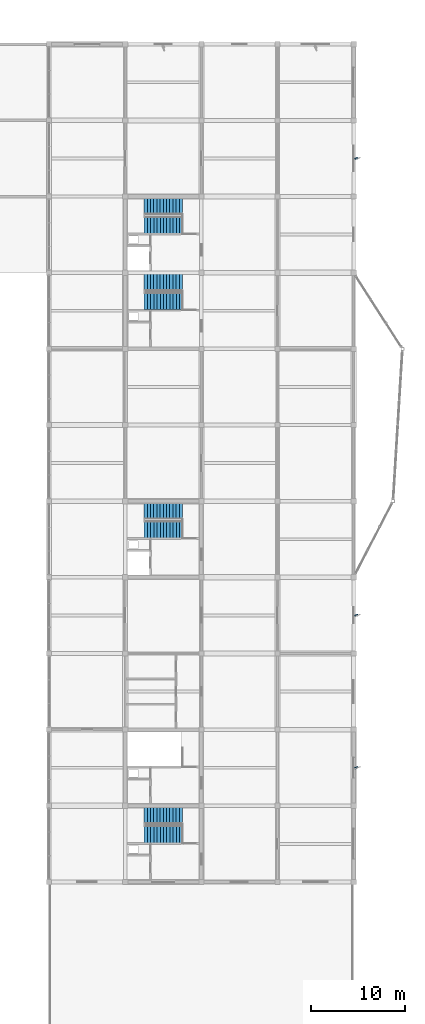
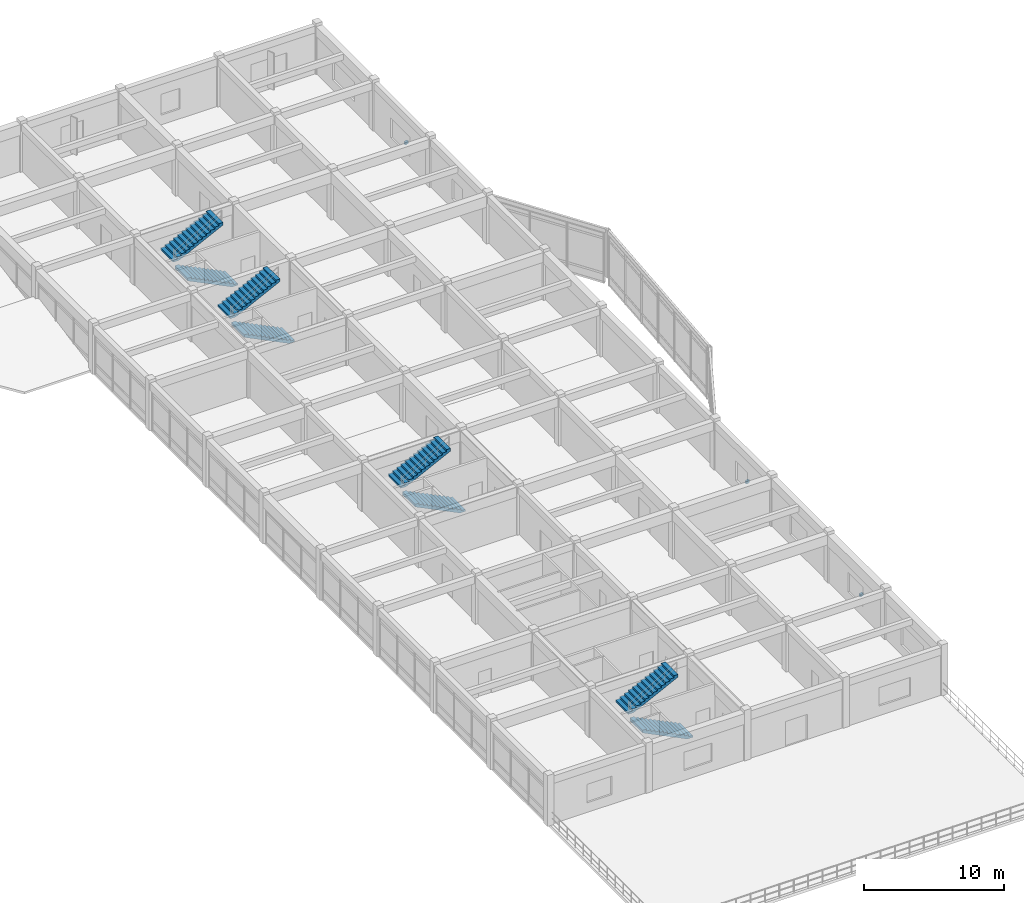
# One storey, part 30 of 33: 8 stair flights, 3 discrete accessories, 4 elements without a shape of their own.
"""IFC4 building model written with IfcOpenShell, lengths in metres."""

from ifc_helpers import new_model, si_unit, direction, frame, origin, origin_2d, place, context, subcontext, project, spatial, polyline, rectangle, outline, extrude, material, type_object, element, aggregate, save


model = new_model("IFC4")

# Units and contexts
model_context = context("Model", 3, precision=1e-05, world=origin(), true_north=direction((0.0, 1.0)))
body_context = subcontext(model_context, "Body", "Model", "MODEL_VIEW")
ifc_project = project(units=[si_unit("LENGTHUNIT", "METRE"), si_unit("AREAUNIT", "SQUARE_METRE"), si_unit("VOLUMEUNIT", "CUBIC_METRE"), si_unit("PLANEANGLEUNIT", "RADIAN"), si_unit("MASSUNIT", "GRAM", prefix="KILO")], contexts=[model_context])

# Site, building, storey
site_placement = place(None, origin())
site = spatial("IfcSite", under=ifc_project, at=site_placement, CompositionType="ELEMENT")
building_placement = place(site_placement, origin())
building = spatial("IfcBuilding", under=site, at=building_placement, Name="Vaudrelin Polytechnic", CompositionType="ELEMENT")
storey_placement = place(building_placement, frame((0.0, 0.0, 27.3701171875)))
storey = spatial("IfcBuildingStorey", under=building, at=storey_placement, Name="L06", CompositionType="ELEMENT", Elevation=27.3701171875)

# Stair, stair flights
ifc_material_1 = material(Name="Concrete 35 MPa", Category="concrete")
stair_type = type_object("IfcStairType", Name="STR-ST-CORE", PredefinedType="TWO_STRAIGHT_RUN_STAIR", material=ifc_material_1)
stair_1_placement = place(storey_placement, origin())
stair_1 = element("IfcStair", 1, at=stair_1_placement, inside=storey, type_object=stair_type, Name="Exit stair ST-06-L06", PredefinedType="TWO_STRAIGHT_RUN_STAIR")
stair_flight_type = type_object("IfcStairFlightType", Name="STF-STF-CORE", PredefinedType="STRAIGHT", material=ifc_material_1)
stair_flight_1_placement = place(storey_placement, frame((151.93994140625, 102.27001953125, 0.0), z_axis=(0.0, 0.0, 1.0), x_axis=(-1.0, 0.0, 0.0)))
stair_flight_1 = element("IfcStairFlight", 2, at=stair_flight_1_placement, type_object=stair_flight_type, Name="ST-06-L06 flight 1", NumberOfRisers=13, NumberOfTreads=12, PredefinedType="STRAIGHT", RiserHeight=0.17, TreadLength=0.34417, context=body_context, shape_type="SweptSolid", body=[
    extrude(outline(polyline([(0.0, 0.0), (0.0, 0.169921875), (0.34423828125, 0.169921875), (0.34423828125, 0.340087890625), (0.688232421875, 0.340087890625), (0.688232421875, 0.510009765625), (1.032470703125, 0.510009765625), (1.032470703125, 0.679931640625), (1.376708984375, 0.679931640625), (1.376708984375, 0.85009765625), (1.720947265625, 0.85009765625), (1.720947265625, 1.02001953125), (2.06494140625, 1.02001953125), (2.06494140625, 1.18994140625), (2.4091796875, 1.18994140625), (2.4091796875, 1.360107421875), (2.75341796875, 1.360107421875), (2.75341796875, 1.530029296875), (3.097412109375, 1.530029296875), (3.097412109375, 1.699951171875), (3.441650390625, 1.699951171875), (3.441650390625, 1.8701171875), (3.785888671875, 1.8701171875), (3.785888671875, 2.0400390625), (4.130126953125, 2.0400390625), (4.130126953125, 2.2099609375), (4.130126953125, 1.81689453125), (0.451416015625, 0.0), (0.0, 0.0)])), frame((0.0, 0.91015625, 0.0), z_axis=(0.0, -1.0, 0.0), x_axis=(1.0, 0.0, 0.0)), (0.0, 0.0, 1.0), 1.820068359375),
])
stair_flight_2_placement = place(storey_placement, frame((147.81005859375, 104.2900390625, 2.2099609375), z_axis=(0.0, 0.0, 1.0), x_axis=(1.0, 0.0, 0.0)))
stair_flight_2 = element("IfcStairFlight", 3, at=stair_flight_2_placement, type_object=stair_flight_type, Name="ST-06-L06 flight 2", NumberOfRisers=13, NumberOfTreads=12, PredefinedType="STRAIGHT", RiserHeight=0.17, TreadLength=0.34083, context=body_context, shape_type="SweptSolid", body=[
    extrude(outline(polyline([(0.0, 0.0), (0.0, 0.169921875), (0.3408203125, 0.169921875), (0.3408203125, 0.340087890625), (0.681640625, 0.340087890625), (0.681640625, 0.510009765625), (1.0224609375, 0.510009765625), (1.0224609375, 0.679931640625), (1.36328125, 0.679931640625), (1.36328125, 0.85009765625), (1.7041015625, 0.85009765625), (1.7041015625, 1.02001953125), (2.044921875, 1.02001953125), (2.044921875, 1.18994140625), (2.3857421875, 1.18994140625), (2.3857421875, 1.360107421875), (2.7265625, 1.360107421875), (2.7265625, 1.530029296875), (3.0673828125, 1.530029296875), (3.0673828125, 1.699951171875), (3.408203125, 1.699951171875), (3.408203125, 1.8701171875), (3.7490234375, 1.8701171875), (3.7490234375, 2.0400390625), (4.08984375, 2.0400390625), (4.08984375, 2.2099609375), (4.08984375, 1.816650390625), (0.447998046875, 0.0), (0.0, 0.0)])), frame((0.0, 0.91015625, 0.0), z_axis=(0.0, -1.0, 0.0), x_axis=(1.0, 0.0, 0.0)), (0.0, 0.0, 1.0), 1.820068359375),
])
aggregate(stair_1, [stair_flight_1, stair_flight_2])

stair_2_placement = place(storey_placement, origin())
stair_2 = element("IfcStair", 4, at=stair_2_placement, inside=storey, type_object=stair_type, Name="Exit stair ST-07-L06", PredefinedType="TWO_STRAIGHT_RUN_STAIR")
stair_flight_3_placement = place(storey_placement, frame((151.93994140625, 69.8701171875, 0.0), z_axis=(0.0, 0.0, 1.0), x_axis=(-1.0, 0.0, 0.0)))
stair_flight_3 = element("IfcStairFlight", 5, at=stair_flight_3_placement, type_object=stair_flight_type, Name="ST-07-L06 flight 1", NumberOfRisers=13, NumberOfTreads=12, PredefinedType="STRAIGHT", RiserHeight=0.17, TreadLength=0.34417, context=body_context, shape_type="SweptSolid", body=[
    extrude(outline(polyline([(0.0, 0.0), (0.0, 0.169921875), (0.34423828125, 0.169921875), (0.34423828125, 0.340087890625), (0.688232421875, 0.340087890625), (0.688232421875, 0.510009765625), (1.032470703125, 0.510009765625), (1.032470703125, 0.679931640625), (1.376708984375, 0.679931640625), (1.376708984375, 0.85009765625), (1.720947265625, 0.85009765625), (1.720947265625, 1.02001953125), (2.06494140625, 1.02001953125), (2.06494140625, 1.18994140625), (2.4091796875, 1.18994140625), (2.4091796875, 1.360107421875), (2.75341796875, 1.360107421875), (2.75341796875, 1.530029296875), (3.097412109375, 1.530029296875), (3.097412109375, 1.699951171875), (3.441650390625, 1.699951171875), (3.441650390625, 1.8701171875), (3.785888671875, 1.8701171875), (3.785888671875, 2.0400390625), (4.130126953125, 2.0400390625), (4.130126953125, 2.2099609375), (4.130126953125, 1.81689453125), (0.451416015625, 0.0), (0.0, 0.0)])), frame((0.0, 0.91015625, 0.0), z_axis=(0.0, -1.0, 0.0), x_axis=(1.0, 0.0, 0.0)), (0.0, 0.0, 1.0), 1.820068359375),
])
stair_flight_4_placement = place(storey_placement, frame((147.81005859375, 71.889892578125, 2.2099609375), z_axis=(0.0, 0.0, 1.0), x_axis=(1.0, 0.0, 0.0)))
stair_flight_4 = element("IfcStairFlight", 6, at=stair_flight_4_placement, type_object=stair_flight_type, Name="ST-07-L06 flight 2", NumberOfRisers=13, NumberOfTreads=12, PredefinedType="STRAIGHT", RiserHeight=0.17, TreadLength=0.34083, context=body_context, shape_type="SweptSolid", body=[
    extrude(outline(polyline([(0.0, 0.0), (0.0, 0.169921875), (0.3408203125, 0.169921875), (0.3408203125, 0.340087890625), (0.681640625, 0.340087890625), (0.681640625, 0.510009765625), (1.0224609375, 0.510009765625), (1.0224609375, 0.679931640625), (1.36328125, 0.679931640625), (1.36328125, 0.85009765625), (1.7041015625, 0.85009765625), (1.7041015625, 1.02001953125), (2.044921875, 1.02001953125), (2.044921875, 1.18994140625), (2.3857421875, 1.18994140625), (2.3857421875, 1.360107421875), (2.7265625, 1.360107421875), (2.7265625, 1.530029296875), (3.0673828125, 1.530029296875), (3.0673828125, 1.699951171875), (3.408203125, 1.699951171875), (3.408203125, 1.8701171875), (3.7490234375, 1.8701171875), (3.7490234375, 2.0400390625), (4.08984375, 2.0400390625), (4.08984375, 2.2099609375), (4.08984375, 1.816650390625), (0.447998046875, 0.0), (0.0, 0.0)])), frame((0.0, 0.91015625, 0.0), z_axis=(0.0, -1.0, 0.0), x_axis=(1.0, 0.0, 0.0)), (0.0, 0.0, 1.0), 1.820068359375),
])
aggregate(stair_2, [stair_flight_3, stair_flight_4])

stair_3_placement = place(storey_placement, origin())
stair_3 = element("IfcStair", 7, at=stair_3_placement, inside=storey, type_object=stair_type, Name="Exit stair ST-08-L06", PredefinedType="TWO_STRAIGHT_RUN_STAIR")
stair_flight_5_placement = place(storey_placement, frame((151.93994140625, 37.469970703125, 0.0), z_axis=(0.0, 0.0, 1.0), x_axis=(-1.0, 0.0, 0.0)))
stair_flight_5 = element("IfcStairFlight", 8, at=stair_flight_5_placement, type_object=stair_flight_type, Name="ST-08-L06 flight 1", NumberOfRisers=13, NumberOfTreads=12, PredefinedType="STRAIGHT", RiserHeight=0.17, TreadLength=0.34417, context=body_context, shape_type="SweptSolid", body=[
    extrude(outline(polyline([(0.0, 0.0), (0.0, 0.169921875), (0.34423828125, 0.169921875), (0.34423828125, 0.340087890625), (0.688232421875, 0.340087890625), (0.688232421875, 0.510009765625), (1.032470703125, 0.510009765625), (1.032470703125, 0.679931640625), (1.376708984375, 0.679931640625), (1.376708984375, 0.85009765625), (1.720947265625, 0.85009765625), (1.720947265625, 1.02001953125), (2.06494140625, 1.02001953125), (2.06494140625, 1.18994140625), (2.4091796875, 1.18994140625), (2.4091796875, 1.360107421875), (2.75341796875, 1.360107421875), (2.75341796875, 1.530029296875), (3.097412109375, 1.530029296875), (3.097412109375, 1.699951171875), (3.441650390625, 1.699951171875), (3.441650390625, 1.8701171875), (3.785888671875, 1.8701171875), (3.785888671875, 2.0400390625), (4.130126953125, 2.0400390625), (4.130126953125, 2.2099609375), (4.130126953125, 1.81689453125), (0.451416015625, 0.0), (0.0, 0.0)])), frame((0.0, 0.91015625, 0.0), z_axis=(0.0, -1.0, 0.0), x_axis=(1.0, 0.0, 0.0)), (0.0, 0.0, 1.0), 1.820068359375),
])
stair_flight_6_placement = place(storey_placement, frame((147.81005859375, 39.489990234375, 2.2099609375), z_axis=(0.0, 0.0, 1.0), x_axis=(1.0, 0.0, 0.0)))
stair_flight_6 = element("IfcStairFlight", 9, at=stair_flight_6_placement, type_object=stair_flight_type, Name="ST-08-L06 flight 2", NumberOfRisers=13, NumberOfTreads=12, PredefinedType="STRAIGHT", RiserHeight=0.17, TreadLength=0.34083, context=body_context, shape_type="SweptSolid", body=[
    extrude(outline(polyline([(0.0, 0.0), (0.0, 0.169921875), (0.3408203125, 0.169921875), (0.3408203125, 0.340087890625), (0.681640625, 0.340087890625), (0.681640625, 0.510009765625), (1.0224609375, 0.510009765625), (1.0224609375, 0.679931640625), (1.36328125, 0.679931640625), (1.36328125, 0.85009765625), (1.7041015625, 0.85009765625), (1.7041015625, 1.02001953125), (2.044921875, 1.02001953125), (2.044921875, 1.18994140625), (2.3857421875, 1.18994140625), (2.3857421875, 1.360107421875), (2.7265625, 1.360107421875), (2.7265625, 1.530029296875), (3.0673828125, 1.530029296875), (3.0673828125, 1.699951171875), (3.408203125, 1.699951171875), (3.408203125, 1.8701171875), (3.7490234375, 1.8701171875), (3.7490234375, 2.0400390625), (4.08984375, 2.0400390625), (4.08984375, 2.2099609375), (4.08984375, 1.816650390625), (0.447998046875, 0.0), (0.0, 0.0)])), frame((0.0, 0.91015625, 0.0), z_axis=(0.0, -1.0, 0.0), x_axis=(1.0, 0.0, 0.0)), (0.0, 0.0, 1.0), 1.820068359375),
])
aggregate(stair_3, [stair_flight_5, stair_flight_6])

stair_4_placement = place(storey_placement, origin())
stair_4 = element("IfcStair", 10, at=stair_4_placement, inside=storey, type_object=stair_type, Name="Exit stair ST-13-L06", PredefinedType="TWO_STRAIGHT_RUN_STAIR")
stair_flight_7_placement = place(storey_placement, frame((151.93994140625, 94.169921875, 0.0), z_axis=(0.0, 0.0, 1.0), x_axis=(-1.0, 0.0, 0.0)))
stair_flight_7 = element("IfcStairFlight", 11, at=stair_flight_7_placement, type_object=stair_flight_type, Name="ST-13-L06 flight 1", NumberOfRisers=13, NumberOfTreads=12, PredefinedType="STRAIGHT", RiserHeight=0.17, TreadLength=0.34417, context=body_context, shape_type="SweptSolid", body=[
    extrude(outline(polyline([(0.0, 0.0), (0.0, 0.169921875), (0.34423828125, 0.169921875), (0.34423828125, 0.340087890625), (0.688232421875, 0.340087890625), (0.688232421875, 0.510009765625), (1.032470703125, 0.510009765625), (1.032470703125, 0.679931640625), (1.376708984375, 0.679931640625), (1.376708984375, 0.85009765625), (1.720947265625, 0.85009765625), (1.720947265625, 1.02001953125), (2.06494140625, 1.02001953125), (2.06494140625, 1.18994140625), (2.4091796875, 1.18994140625), (2.4091796875, 1.360107421875), (2.75341796875, 1.360107421875), (2.75341796875, 1.530029296875), (3.097412109375, 1.530029296875), (3.097412109375, 1.699951171875), (3.441650390625, 1.699951171875), (3.441650390625, 1.8701171875), (3.785888671875, 1.8701171875), (3.785888671875, 2.0400390625), (4.130126953125, 2.0400390625), (4.130126953125, 2.2099609375), (4.130126953125, 1.81689453125), (0.451416015625, 0.0), (0.0, 0.0)])), frame((0.0, 0.91015625, 0.0), z_axis=(0.0, -1.0, 0.0), x_axis=(1.0, 0.0, 0.0)), (0.0, 0.0, 1.0), 1.820068359375),
])
stair_flight_8_placement = place(storey_placement, frame((147.81005859375, 96.18994140625, 2.2099609375), z_axis=(0.0, 0.0, 1.0), x_axis=(1.0, 0.0, 0.0)))
stair_flight_8 = element("IfcStairFlight", 12, at=stair_flight_8_placement, type_object=stair_flight_type, Name="ST-13-L06 flight 2", NumberOfRisers=13, NumberOfTreads=12, PredefinedType="STRAIGHT", RiserHeight=0.17, TreadLength=0.34083, context=body_context, shape_type="SweptSolid", body=[
    extrude(outline(polyline([(0.0, 0.0), (0.0, 0.169921875), (0.3408203125, 0.169921875), (0.3408203125, 0.340087890625), (0.681640625, 0.340087890625), (0.681640625, 0.510009765625), (1.0224609375, 0.510009765625), (1.0224609375, 0.679931640625), (1.36328125, 0.679931640625), (1.36328125, 0.85009765625), (1.7041015625, 0.85009765625), (1.7041015625, 1.02001953125), (2.044921875, 1.02001953125), (2.044921875, 1.18994140625), (2.3857421875, 1.18994140625), (2.3857421875, 1.360107421875), (2.7265625, 1.360107421875), (2.7265625, 1.530029296875), (3.0673828125, 1.530029296875), (3.0673828125, 1.699951171875), (3.408203125, 1.699951171875), (3.408203125, 1.8701171875), (3.7490234375, 1.8701171875), (3.7490234375, 2.0400390625), (4.08984375, 2.0400390625), (4.08984375, 2.2099609375), (4.08984375, 1.816650390625), (0.447998046875, 0.0), (0.0, 0.0)])), frame((0.0, 0.91015625, 0.0), z_axis=(0.0, -1.0, 0.0), x_axis=(1.0, 0.0, 0.0)), (0.0, 0.0, 1.0), 1.820068359375),
])
aggregate(stair_4, [stair_flight_7, stair_flight_8])

# Discrete accessories
ifc_material_2 = material(Name="Galvanised steel CSA G40.21 350W", Category="steel")
discrete_accessory_type = type_object("IfcDiscreteAccessoryType", Name="ENV-BRK-01", PredefinedType="BRACKET", material=ifc_material_2)
for number, where, z_axis, x_axis, name in (
    (13, (170.39501953125, 44.550048828125, 0.98974609375), (0.0, 0.0, 1.0), (0.927183854567, 0.374606593416, 0.0), "Solar fin support bracket BRK-049"),
    (14, (170.39501953125, 60.75, 0.98974609375), (0.0, 0.0, 1.0), (0.927183854567, 0.374606593416, 0.0), "Solar fin support bracket BRK-050"),
    (15, (170.39501953125, 109.35009765625, 0.98974609375), (0.0, 0.0, 1.0), (0.927183854567, 0.374606593416, 0.0), "Solar fin support bracket BRK-051"),
):
    element("IfcDiscreteAccessory", number, at=place(storey_placement, frame(where, z_axis=z_axis, x_axis=x_axis)), inside=storey, type_object=discrete_accessory_type, Name=name, PredefinedType="BRACKET", context=body_context, shape_type="SweptSolid", body=[
        extrude(rectangle(XDim=0.300048828125, YDim=0.179931640625, at=origin_2d()), origin(), (0.0, 0.0, 1.0), 0.219970703125),
    ])

save(model, "model.ifc")
